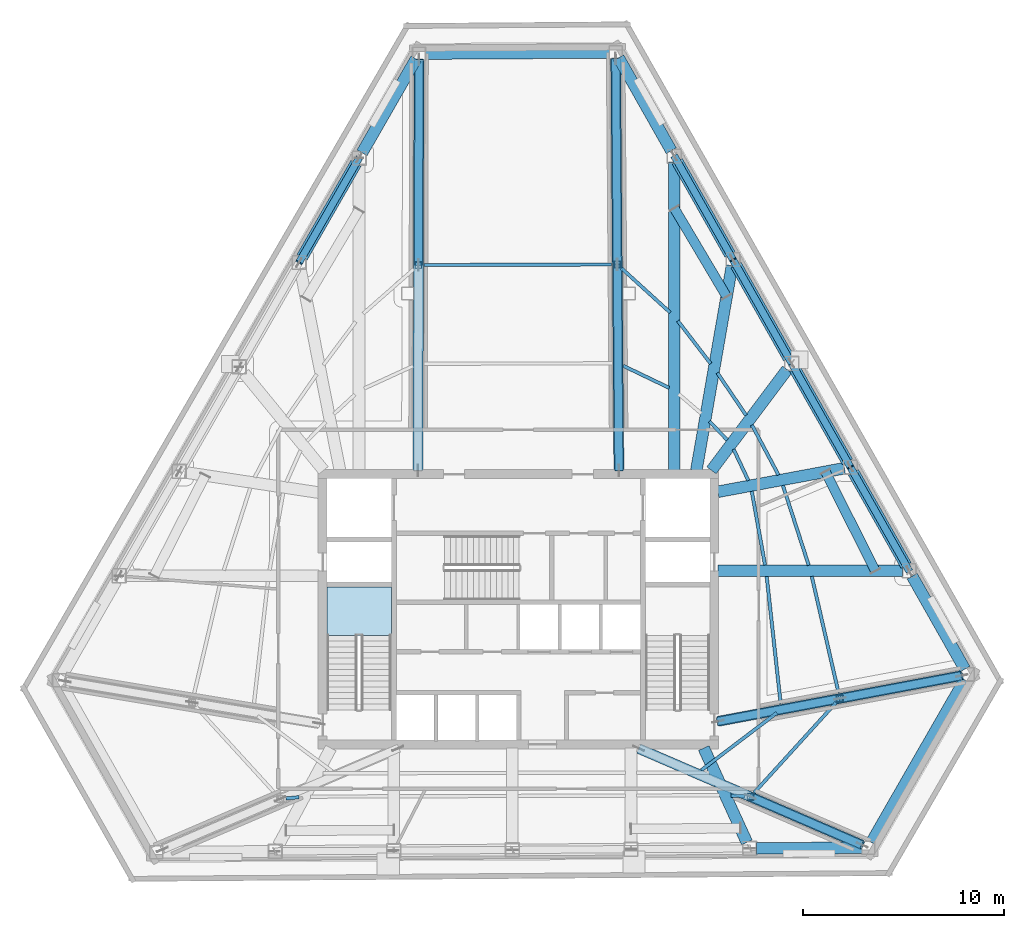
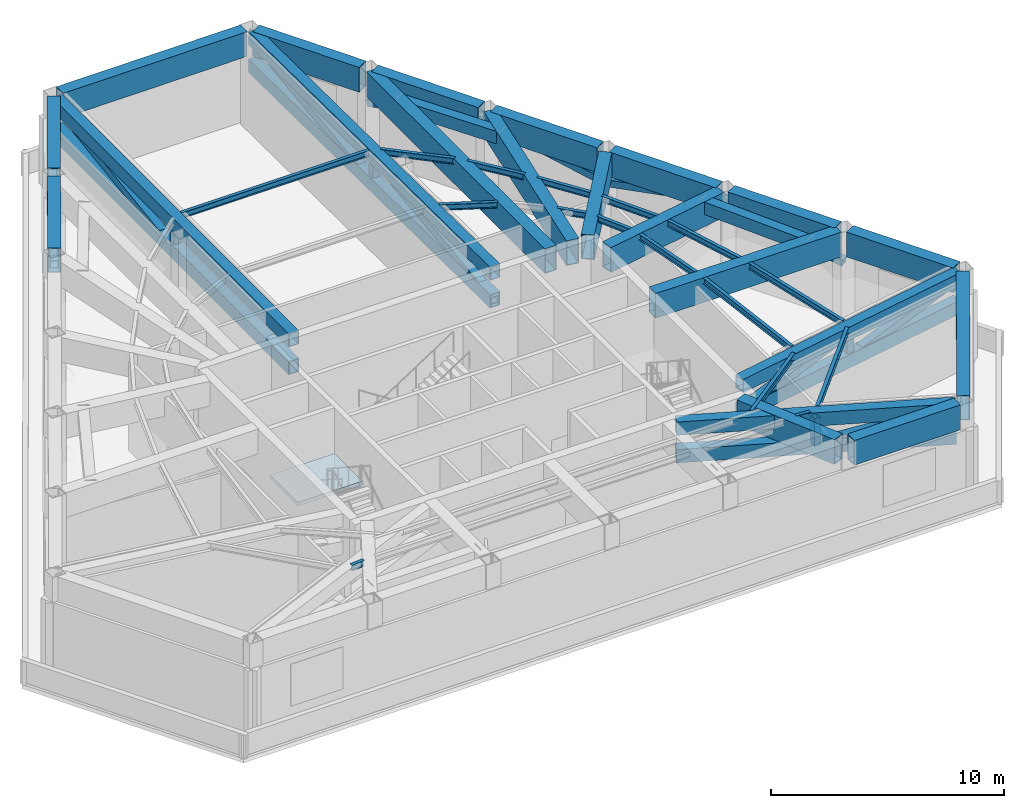
# One storey, part 3 of 13: 43 beams, 15 members, 1 slab, 1 element without a shape of its own.
"""IFC4 building model written with IfcOpenShell, lengths in metres."""

from ifc_helpers import new_model, si_unit, direction, frame, origin, origin_2d, place, context, subcontext, project, spatial, polyline, hollow_rectangle, i_section, outline, extrude, material, layer, layer_set, material_profile, profile_set, type_object, element, aggregate, save


model = new_model("IFC4")

# Units and contexts
model_context = context("Model", 3, precision=1e-05, world=origin(), true_north=direction((0.0, 1.0)))
body_context = subcontext(model_context, "Body", "Model", "MODEL_VIEW")
ifc_project = project(units=[si_unit("LENGTHUNIT", "METRE"), si_unit("AREAUNIT", "SQUARE_METRE"), si_unit("VOLUMEUNIT", "CUBIC_METRE"), si_unit("PLANEANGLEUNIT", "RADIAN"), si_unit("MASSUNIT", "GRAM", prefix="KILO")], contexts=[model_context])

# Site, building, storey
site_placement = place(None, origin())
site = spatial("IfcSite", under=ifc_project, at=site_placement, CompositionType="ELEMENT")
building_placement = place(site_placement, origin())
building = spatial("IfcBuilding", under=site, at=building_placement, Name="Kavelnor Concourse Tower", CompositionType="ELEMENT")
storey_placement = place(building_placement, frame((0.0, 0.0, 154.800048828125)))
storey = spatial("IfcBuildingStorey", under=building, at=storey_placement, Name="L39", CompositionType="ELEMENT", Elevation=154.800048828125)

# Beams
ifc_material_1 = material(Name="Steel Grade 350", Category="steel")
ifc_material_profile_1 = material_profile(ifc_material_1, hollow_rectangle(XDim=0.47998046875, YDim=0.64990234375, WallThickness=0.030029296875, at=origin_2d()), Name="RHS 650x480x30")
ifc_profile_set_1 = profile_set([ifc_material_profile_1], Name="Steel Grade 350")
beam_type_1 = type_object("IfcBeamType", Name="BM-BELT-CHORD-650", PredefinedType="BEAM", material=ifc_profile_set_1)
beam_1_placement = place(storey_placement, frame((55.7490234375, 18.012451171875, 4.659912109375), z_axis=(-0.450062397486, 0.892997109944, 0.0), x_axis=(-0.892997109944, -0.450062397486, 0.0)))
element("IfcBeam", 1, at=beam_1_placement, inside=storey, type_object=beam_type_1, Name="L39 Perimeter Belt Truss Chord F2-B1", PredefinedType="BEAM", context=body_context, shape_type="SweptSolid", body=[
    extrude(hollow_rectangle(XDim=0.47998046875, YDim=0.64990234375, WallThickness=0.030029296875, at=origin_2d()), origin(), (0.0, 0.0, 1.0), 5.5146484375),
])
beam_2_placement = place(storey_placement, frame((48.354248046875, 31.652587890625, 4.659912109375), z_axis=(-0.510326229529, 0.859980894819, 0.0), x_axis=(-0.859980894819, -0.510326229529, 0.0)))
element("IfcBeam", 2, at=beam_2_placement, inside=storey, type_object=beam_type_1, Name="L39 Perimeter Belt Truss Chord F2-B4", PredefinedType="BEAM", context=body_context, shape_type="SweptSolid", body=[
    extrude(hollow_rectangle(XDim=0.47998046875, YDim=0.64990234375, WallThickness=0.030029296875, at=origin_2d()), origin(), (0.0, 0.0, 1.0), 5.096435546875),
])
ifc_material_profile_2 = material_profile(ifc_material_1, i_section(OverallWidth=0.166015625, OverallDepth=0.306884765625, WebThickness=0.006591796875, FlangeThickness=0.01171875, at=origin_2d()), Name="310UB46")
ifc_profile_set_2 = profile_set([ifc_material_profile_2], Name="Steel Grade 350")
beam_type_2 = type_object("IfcBeamType", Name="BM-JOIST-310", PredefinedType="JOIST", material=ifc_profile_set_2)
beam_3_placement = place(storey_placement, frame((26.437255859375, 6.690673828125, 4.83154296875), z_axis=(0.995515695272, 0.09459651403, 0.0), x_axis=(-0.09459651403, 0.995515695272, 0.0)))
element("IfcBeam", 3, at=beam_3_placement, inside=storey, type_object=beam_type_2, Name="L39 Secondary Composite Joist 02-2", PredefinedType="JOIST", context=body_context, shape_type="SweptSolid", body=[
    extrude(i_section(OverallWidth=0.166015625, OverallDepth=0.306884765625, WebThickness=0.006591796875, FlangeThickness=0.01171875, at=origin_2d()), origin(), (0.0, 0.0, 1.0), 0.650390625),
])
beam_4_placement = place(storey_placement, frame((48.572021484375, 6.833984375, 4.83154296875), z_axis=(0.998053964698, -0.062356102757, 0.0), x_axis=(0.062356102757, 0.998053964698, 0.0)))
element("IfcBeam", 4, at=beam_4_placement, inside=storey, type_object=beam_type_2, Name="L39 Secondary Composite Joist 07-2", PredefinedType="JOIST", context=body_context, shape_type="SweptSolid", body=[
    extrude(i_section(OverallWidth=0.166015625, OverallDepth=0.306884765625, WebThickness=0.006591796875, FlangeThickness=0.01171875, at=origin_2d()), origin(), (0.0, 0.0, 1.0), 0.68505859375),
])
beam_5_placement = place(storey_placement, frame((47.09765625, 8.098388671875, 4.83154296875), z_axis=(0.796645630446, 0.604446639076, 0.0), x_axis=(-0.604446639076, 0.796645630446, 0.0)))
element("IfcBeam", 5, at=beam_5_placement, inside=storey, type_object=beam_type_2, Name="L39 Secondary Composite Joist 08-1", PredefinedType="JOIST", context=body_context, shape_type="SweptSolid", body=[
    extrude(i_section(OverallWidth=0.166015625, OverallDepth=0.306884765625, WebThickness=0.006591796875, FlangeThickness=0.01171875, at=origin_2d()), origin(), (0.0, 0.0, 1.0), 4.70751953125),
])
beam_6_placement = place(storey_placement, frame((49.73046875, 6.983642578125, 4.83154296875), z_axis=(0.672801552318, 0.739822999912, 0.0), x_axis=(-0.739822999912, 0.672801552318, 0.0)))
element("IfcBeam", 6, at=beam_6_placement, inside=storey, type_object=beam_type_2, Name="L39 Secondary Composite Joist 08-2", PredefinedType="JOIST", context=body_context, shape_type="SweptSolid", body=[
    extrude(i_section(OverallWidth=0.166015625, OverallDepth=0.306884765625, WebThickness=0.006591796875, FlangeThickness=0.01171875, at=origin_2d()), origin(), (0.0, 0.0, 1.0), 6.03955078125),
])
beam_7_placement = place(storey_placement, frame((51.043212890625, 11.397705078125, 4.83154296875), z_axis=(-0.109447254203, 0.993992604876, 0.0), x_axis=(-0.993992604876, -0.109447254203, 0.0)))
element("IfcBeam", 7, at=beam_7_placement, inside=storey, type_object=beam_type_2, Name="L39 Secondary Composite Joist 09-1", PredefinedType="JOIST", context=body_context, shape_type="SweptSolid", body=[
    extrude(i_section(OverallWidth=0.166015625, OverallDepth=0.306884765625, WebThickness=0.006591796875, FlangeThickness=0.01171875, at=origin_2d()), origin(), (0.0, 0.0, 1.0), 6.370849609375),
])
beam_8_placement = place(storey_placement, frame((53.92138671875, 11.938720703125, 4.83154296875), z_axis=(-0.223987077467, 0.974592114234, 0.0), x_axis=(-0.974592114234, -0.223987077467, 0.0)))
element("IfcBeam", 8, at=beam_8_placement, inside=storey, type_object=beam_type_2, Name="L39 Secondary Composite Joist 09-2", PredefinedType="JOIST", context=body_context, shape_type="SweptSolid", body=[
    extrude(i_section(OverallWidth=0.166015625, OverallDepth=0.306884765625, WebThickness=0.006591796875, FlangeThickness=0.01171875, at=origin_2d()), origin(), (0.0, 0.0, 1.0), 5.947998046875),
])
beam_9_placement = place(storey_placement, frame((50.2646484375, 18.2919921875, 4.83154296875), z_axis=(-0.176370027807, 0.984323937173, 0.0), x_axis=(-0.984323937173, -0.176370027807, 0.0)))
element("IfcBeam", 9, at=beam_9_placement, inside=storey, type_object=beam_type_2, Name="L39 Secondary Composite Joist 10-1", PredefinedType="JOIST", context=body_context, shape_type="SweptSolid", body=[
    extrude(i_section(OverallWidth=0.166015625, OverallDepth=0.306884765625, WebThickness=0.006591796875, FlangeThickness=0.01171875, at=origin_2d()), origin(), (0.0, 0.0, 1.0), 3.7333984375),
])
beam_10_placement = place(storey_placement, frame((52.43798828125, 18.28271484375, 4.83154296875), z_axis=(-0.307622637946, 0.951508440647, 0.0), x_axis=(-0.951508440647, -0.307622637946, 0.0)))
element("IfcBeam", 10, at=beam_10_placement, inside=storey, type_object=beam_type_2, Name="L39 Secondary Composite Joist 10-2", PredefinedType="JOIST", context=body_context, shape_type="SweptSolid", body=[
    extrude(i_section(OverallWidth=0.166015625, OverallDepth=0.306884765625, WebThickness=0.006591796875, FlangeThickness=0.01171875, at=origin_2d()), origin(), (0.0, 0.0, 1.0), 4.177001953125),
])
beam_11_placement = place(storey_placement, frame((49.4345703125, 22.5029296875, 4.83154296875), z_axis=(-0.427811024478, 0.903868202414, 0.0), x_axis=(-0.903868202414, -0.427811024478, 0.0)))
element("IfcBeam", 11, at=beam_11_placement, inside=storey, type_object=beam_type_2, Name="L39 Secondary Composite Joist 11-1", PredefinedType="JOIST", context=body_context, shape_type="SweptSolid", body=[
    extrude(i_section(OverallWidth=0.166015625, OverallDepth=0.306884765625, WebThickness=0.006591796875, FlangeThickness=0.01171875, at=origin_2d()), origin(), (0.0, 0.0, 1.0), 1.71533203125),
])
beam_12_placement = place(storey_placement, frame((50.9326171875, 22.778076171875, 4.83154296875), z_axis=(-0.468861007941, 0.883271959949, 0.0), x_axis=(-0.883271959949, -0.468861007941, 0.0)))
element("IfcBeam", 12, at=beam_12_placement, inside=storey, type_object=beam_type_2, Name="L39 Secondary Composite Joist 11-2", PredefinedType="JOIST", context=body_context, shape_type="SweptSolid", body=[
    extrude(i_section(OverallWidth=0.166015625, OverallDepth=0.306884765625, WebThickness=0.006591796875, FlangeThickness=0.01171875, at=origin_2d()), origin(), (0.0, 0.0, 1.0), 2.811279296875),
])
beam_13_placement = place(storey_placement, frame((48.38330078125, 24.515869140625, 4.83154296875), z_axis=(-0.689005662789, 0.724755956612, 0.0), x_axis=(-0.724755956612, -0.689005662789, 0.0)))
element("IfcBeam", 13, at=beam_13_placement, inside=storey, type_object=beam_type_2, Name="L39 Secondary Composite Joist 12-1", PredefinedType="JOIST", context=body_context, shape_type="SweptSolid", body=[
    extrude(i_section(OverallWidth=0.166015625, OverallDepth=0.306884765625, WebThickness=0.006591796875, FlangeThickness=0.01171875, at=origin_2d()), origin(), (0.0, 0.0, 1.0), 1.277099609375),
])
beam_14_placement = place(storey_placement, frame((49.322021484375, 25.747314453125, 4.83154296875), z_axis=(-0.561231776097, 0.827658681764, 0.0), x_axis=(-0.827658681764, -0.561231776097, 0.0)))
element("IfcBeam", 14, at=beam_14_placement, inside=storey, type_object=beam_type_2, Name="L39 Secondary Composite Joist 12-2", PredefinedType="JOIST", context=body_context, shape_type="SweptSolid", body=[
    extrude(i_section(OverallWidth=0.166015625, OverallDepth=0.306884765625, WebThickness=0.006591796875, FlangeThickness=0.01171875, at=origin_2d()), origin(), (0.0, 0.0, 1.0), 2.546630859375),
])
beam_15_placement = place(storey_placement, frame((47.560546875, 28.315185546875, 4.83154296875), z_axis=(-0.609191661273, 0.793023026043, 0.0), x_axis=(-0.793023026043, -0.609191661273, 0.0)))
element("IfcBeam", 15, at=beam_15_placement, inside=storey, type_object=beam_type_2, Name="L39 Secondary Composite Joist 13-2", PredefinedType="JOIST", context=body_context, shape_type="SweptSolid", body=[
    extrude(i_section(OverallWidth=0.166015625, OverallDepth=0.306884765625, WebThickness=0.006591796875, FlangeThickness=0.01171875, at=origin_2d()), origin(), (0.0, 0.0, 1.0), 2.6826171875),
])
beam_16_placement = place(storey_placement, frame((45.497314453125, 27.110107421875, 4.83154296875), z_axis=(-0.901887954544, 0.431970042304, 0.0), x_axis=(-0.431970042304, -0.901887954544, 0.0)))
element("IfcBeam", 16, at=beam_16_placement, inside=storey, type_object=beam_type_2, Name="L39 Secondary Composite Joist 14-1", PredefinedType="JOIST", context=body_context, shape_type="SweptSolid", body=[
    extrude(i_section(OverallWidth=0.166015625, OverallDepth=0.306884765625, WebThickness=0.006591796875, FlangeThickness=0.01171875, at=origin_2d()), origin(), (0.0, 0.0, 1.0), 2.534912109375),
])
beam_17_placement = place(storey_placement, frame((45.543212890625, 30.85888671875, 4.83154296875), z_axis=(-0.74009568813, 0.672501577999, 0.0), x_axis=(-0.672501577999, -0.74009568813, 0.0)))
element("IfcBeam", 17, at=beam_17_placement, inside=storey, type_object=beam_type_2, Name="L39 Secondary Composite Joist 14-2", PredefinedType="JOIST", context=body_context, shape_type="SweptSolid", body=[
    extrude(i_section(OverallWidth=0.166015625, OverallDepth=0.306884765625, WebThickness=0.006591796875, FlangeThickness=0.01171875, at=origin_2d()), origin(), (0.0, 0.0, 1.0), 3.26513671875),
])
beam_18_placement = place(storey_placement, frame((42.632568359375, 33.2451171875, 4.83154296875), z_axis=(-0.999995303924, -0.003064658055, 0.0), x_axis=(0.003064658055, -0.999995303924, 0.0)))
element("IfcBeam", 18, at=beam_18_placement, inside=storey, type_object=beam_type_2, Name="L39 Secondary Composite Joist 15-2", PredefinedType="JOIST", context=body_context, shape_type="SweptSolid", body=[
    extrude(i_section(OverallWidth=0.166015625, OverallDepth=0.306884765625, WebThickness=0.006591796875, FlangeThickness=0.01171875, at=origin_2d()), origin(), (0.0, 0.0, 1.0), 9.320556640625),
])
ifc_material_profile_3 = material_profile(ifc_material_1, hollow_rectangle(XDim=0.5, YDim=0.699951171875, WallThickness=0.031982421875, at=origin_2d()), Name="RHS 700x500x32")
ifc_profile_set_3 = profile_set([ifc_material_profile_3], Name="Steel Grade 350")
beam_type_3 = type_object("IfcBeamType", Name="BM-OUTRIG-CHORD-700", PredefinedType="BEAM", material=ifc_profile_set_3)
for number, where, z_axis, x_axis, name in (
    (19, (33.001220703125, 23.0, 3.179931640625), (0.002628834106, 0.99999654461, 0.0), (-0.99999654461, 0.002628834106, 0.0), "L39 Outrigger Truss Bottom Chord F0A"),
    (20, (33.001220703125, 23.0, 4.625), (0.002628834106, 0.99999654461, 0.0), (-0.99999654461, 0.002628834106, 0.0), "L39 Outrigger Truss Top Chord F0A"),
):
    element("IfcBeam", number, at=place(storey_placement, frame(where, z_axis=z_axis, x_axis=x_axis)), inside=storey, type_object=beam_type_3, Name=name, PredefinedType="BEAM", context=body_context, shape_type="SweptSolid", body=[
        extrude(hollow_rectangle(XDim=0.5, YDim=0.699951171875, WallThickness=0.031982421875, at=origin_2d()), origin(), (0.0, 0.0, 1.0), 20.431396484375),
    ])
for number, where, z_axis, x_axis, name in (
    (21, (43.981201171875, 9.17578125, 3.179931640625), (0.917926893332, -0.396749566476, 0.0), (0.396749566476, 0.917926893332, 0.0), "L39 Outrigger Truss Bottom Chord F1B"),
    (22, (43.981201171875, 9.17578125, 4.625), (0.917926893332, -0.396749566476, 0.0), (0.396749566476, 0.917926893332, 0.0), "L39 Outrigger Truss Top Chord F1B"),
):
    element("IfcBeam", number, at=place(storey_placement, frame(where, z_axis=z_axis, x_axis=x_axis)), inside=storey, type_object=beam_type_3, Name=name, PredefinedType="BEAM", context=body_context, shape_type="SweptSolid", body=[
        extrude(hollow_rectangle(XDim=0.5, YDim=0.699951171875, WallThickness=0.031982421875, at=origin_2d()), origin(), (0.0, 0.0, 1.0), 12.110107421875),
    ])
for number, where, z_axis, x_axis, name in (
    (23, (47.920654296875, 10.523681640625, 3.179931640625), (0.982835661078, 0.184483233148, 0.0), (-0.184483233148, 0.982835661078, 0.0), "L39 Outrigger Truss Bottom Chord F2A"),
    (24, (47.920654296875, 10.523681640625, 4.625), (0.982835661078, 0.184483233148, 0.0), (-0.184483233148, 0.982835661078, 0.0), "L39 Outrigger Truss Top Chord F2A"),
):
    element("IfcBeam", number, at=place(storey_placement, frame(where, z_axis=z_axis, x_axis=x_axis)), inside=storey, type_object=beam_type_3, Name=name, PredefinedType="BEAM", context=body_context, shape_type="SweptSolid", body=[
        extrude(hollow_rectangle(XDim=0.5, YDim=0.699951171875, WallThickness=0.031982421875, at=origin_2d()), origin(), (0.0, 0.0, 1.0), 12.340576171875),
    ])
for number, where, z_axis, x_axis, name in (
    (25, (42.996826171875, 23.0, 3.179931640625), (-0.007839252048, 0.999969272592, 0.0), (-0.999969272592, -0.007839252048, 0.0), "L39 Outrigger Truss Bottom Chord F2B"),
    (26, (42.996826171875, 23.0, 4.625), (-0.007839252048, 0.999969272592, 0.0), (-0.999969272592, -0.007839252048, 0.0), "L39 Outrigger Truss Top Chord F2B"),
):
    element("IfcBeam", number, at=place(storey_placement, frame(where, z_axis=z_axis, x_axis=x_axis)), inside=storey, type_object=beam_type_3, Name=name, PredefinedType="BEAM", context=body_context, shape_type="SweptSolid", body=[
        extrude(hollow_rectangle(XDim=0.5, YDim=0.699951171875, WallThickness=0.031982421875, at=origin_2d()), origin(), (0.0, 0.0, 1.0), 20.492431640625),
    ])
ifc_material_profile_4 = material_profile(ifc_material_1, hollow_rectangle(XDim=0.580078125, YDim=1.300048828125, WallThickness=0.0400390625, at=origin_2d()), Name="RHS 1300x580x40")
ifc_profile_set_4 = profile_set([ifc_material_profile_4], Name="Steel Grade 350")
beam_type_4 = type_object("IfcBeamType", Name="BM-SETBACK-XFER-1350", PredefinedType="BEAM", material=ifc_profile_set_4)
for number, where, z_axis, x_axis, name in (
    (27, (32.90380859375, 43.466796875, 4.3349609375), (-0.49807799561, -0.867132233451, 0.0), (0.867132233451, -0.49807799561, 0.0), "L39 Perimeter Tube Spandrel Beam F0-B0"),
    (28, (29.92041015625, 38.27294921875, 4.3349609375), (-0.49807799561, -0.867132233451, 0.0), (0.867132233451, -0.49807799561, 0.0), "L39 Perimeter Tube Spandrel Beam F0-B1"),
):
    element("IfcBeam", number, at=place(storey_placement, frame(where, z_axis=z_axis, x_axis=x_axis)), inside=storey, type_object=beam_type_4, Name=name, PredefinedType="BEAM", context=body_context, shape_type="SweptSolid", body=[
        extrude(hollow_rectangle(XDim=0.580078125, YDim=1.300048828125, WallThickness=0.0400390625, at=origin_2d()), origin(), (0.0, 0.0, 1.0), 5.379638671875),
    ])
beam_19_placement = place(storey_placement, frame((42.529052734375, 43.789794921875, 4.3349609375), z_axis=(-0.999981082261, -0.006151025989, 0.0), x_axis=(0.006151025989, -0.999981082261, 0.0)))
element("IfcBeam", 29, at=beam_19_placement, inside=storey, type_object=beam_type_4, Name="L39 Chamfer Facet Spandrel Beam C0", PredefinedType="BEAM", context=body_context, shape_type="SweptSolid", body=[
    extrude(hollow_rectangle(XDim=0.580078125, YDim=1.300048828125, WallThickness=0.0400390625, at=origin_2d()), origin(), (0.0, 0.0, 1.0), 9.168701171875),
])
beam_20_placement = place(storey_placement, frame((49.8046875, 4.205322265625, 4.3349609375), z_axis=(0.999980885226, 0.006182975204, 0.0), x_axis=(-0.006182975204, 0.999980885226, 0.0)))
element("IfcBeam", 30, at=beam_20_placement, inside=storey, type_object=beam_type_4, Name="L39 Perimeter Tube Spandrel Beam F1-B5", PredefinedType="BEAM", context=body_context, shape_type="SweptSolid", body=[
    extrude(hollow_rectangle(XDim=0.580078125, YDim=1.300048828125, WallThickness=0.0400390625, at=origin_2d()), origin(), (0.0, 0.0, 1.0), 5.291015625),
])
beam_21_placement = place(storey_placement, frame((60.19970703125, 13.1220703125, 4.3349609375), z_axis=(-0.492701926821, 0.870198144854, 0.0), x_axis=(-0.870198144854, -0.492701926821, 0.0)))
element("IfcBeam", 31, at=beam_21_placement, inside=storey, type_object=beam_type_4, Name="L39 Perimeter Tube Spandrel Beam F2-B0", PredefinedType="BEAM", context=body_context, shape_type="SweptSolid", body=[
    extrude(hollow_rectangle(XDim=0.580078125, YDim=1.300048828125, WallThickness=0.0400390625, at=origin_2d()), origin(), (0.0, 0.0, 1.0), 5.31494140625),
])
beam_22_placement = place(storey_placement, frame((57.280517578125, 18.27783203125, 4.3349609375), z_axis=(-0.492717015385, 0.87018960161, 0.0), x_axis=(-0.87018960161, -0.492717015385, 0.0)))
element("IfcBeam", 32, at=beam_22_placement, inside=storey, type_object=beam_type_4, Name="L39 Perimeter Tube Spandrel Beam F2-B1", PredefinedType="BEAM", context=body_context, shape_type="SweptSolid", body=[
    extrude(hollow_rectangle(XDim=0.580078125, YDim=1.300048828125, WallThickness=0.0400390625, at=origin_2d()), origin(), (0.0, 0.0, 1.0), 5.315185546875),
])
for number, where, z_axis, x_axis, name in (
    (33, (54.361083984375, 23.433837890625, 4.3349609375), (-0.492736709901, 0.870178449926, 0.0), (-0.870178449926, -0.492736709901, 0.0), "L39 Perimeter Tube Spandrel Beam F2-B2"),
    (34, (51.441650390625, 28.589599609375, 4.3349609375), (-0.492701926821, 0.870198144854, 0.0), (-0.870198144854, -0.492701926821, 0.0), "L39 Perimeter Tube Spandrel Beam F2-B3"),
):
    element("IfcBeam", number, at=place(storey_placement, frame(where, z_axis=z_axis, x_axis=x_axis)), inside=storey, type_object=beam_type_4, Name=name, PredefinedType="BEAM", context=body_context, shape_type="SweptSolid", body=[
        extrude(hollow_rectangle(XDim=0.580078125, YDim=1.300048828125, WallThickness=0.0400390625, at=origin_2d()), origin(), (0.0, 0.0, 1.0), 5.31494140625),
    ])
beam_23_placement = place(storey_placement, frame((48.5224609375, 33.745361328125, 4.3349609375), z_axis=(-0.492717015385, 0.87018960161, 0.0), x_axis=(-0.87018960161, -0.492717015385, 0.0)))
element("IfcBeam", 35, at=beam_23_placement, inside=storey, type_object=beam_type_4, Name="L39 Perimeter Tube Spandrel Beam F2-B4", PredefinedType="BEAM", context=body_context, shape_type="SweptSolid", body=[
    extrude(hollow_rectangle(XDim=0.580078125, YDim=1.300048828125, WallThickness=0.0400390625, at=origin_2d()), origin(), (0.0, 0.0, 1.0), 5.315185546875),
])
beam_24_placement = place(storey_placement, frame((45.60302734375, 38.9013671875, 4.3349609375), z_axis=(-0.492701926821, 0.870198144854, 0.0), x_axis=(-0.870198144854, -0.492701926821, 0.0)))
element("IfcBeam", 36, at=beam_24_placement, inside=storey, type_object=beam_type_4, Name="L39 Perimeter Tube Spandrel Beam F2-B5", PredefinedType="BEAM", context=body_context, shape_type="SweptSolid", body=[
    extrude(hollow_rectangle(XDim=0.580078125, YDim=1.300048828125, WallThickness=0.0400390625, at=origin_2d()), origin(), (0.0, 0.0, 1.0), 5.31494140625),
])
beam_25_placement = place(storey_placement, frame((55.552490234375, 4.50439453125, 4.3349609375), z_axis=(0.498065836474, 0.867139217506, 0.0), x_axis=(-0.867139217506, 0.498065836474, 0.0)))
element("IfcBeam", 37, at=beam_25_placement, inside=storey, type_object=beam_type_4, Name="L39 Chamfer Facet Spandrel Beam C2", PredefinedType="BEAM", context=body_context, shape_type="SweptSolid", body=[
    extrude(hollow_rectangle(XDim=0.580078125, YDim=1.300048828125, WallThickness=0.0400390625, at=origin_2d()), origin(), (0.0, 0.0, 1.0), 9.3271484375),
])
beam_26_placement = place(storey_placement, frame((47.21630859375, 9.1962890625, 4.3349609375), z_axis=(0.415902981376, -0.909408989445, 0.0), x_axis=(0.909408989445, 0.415902981376, 0.0)))
element("IfcBeam", 38, at=beam_26_placement, inside=storey, type_object=beam_type_4, Name="L39 Primary Floor Girder F1-B5", PredefinedType="BEAM", context=body_context, shape_type="SweptSolid", body=[
    extrude(hollow_rectangle(XDim=0.580078125, YDim=1.300048828125, WallThickness=0.0400390625, at=origin_2d()), origin(), (0.0, 0.0, 1.0), 5.15625),
])
beam_27_placement = place(storey_placement, frame((47.919921875, 18.012451171875, 4.3349609375), z_axis=(1.0, 0.0, 0.0), x_axis=(0.0, 1.0, 0.0)))
element("IfcBeam", 39, at=beam_27_placement, inside=storey, type_object=beam_type_4, Name="L39 Primary Floor Girder F2-B1", PredefinedType="BEAM", context=body_context, shape_type="SweptSolid", body=[
    extrude(hollow_rectangle(XDim=0.580078125, YDim=1.300048828125, WallThickness=0.0400390625, at=origin_2d()), origin(), (0.0, 0.0, 1.0), 9.210693359375),
])
beam_28_placement = place(storey_placement, frame((47.920654296875, 21.94189453125, 4.3349609375), z_axis=(0.983118398442, 0.182970529442, 0.0), x_axis=(-0.182970529442, 0.983118398442, 0.0)))
element("IfcBeam", 40, at=beam_28_placement, inside=storey, type_object=beam_type_4, Name="L39 Primary Floor Girder F2-B2", PredefinedType="BEAM", context=body_context, shape_type="SweptSolid", body=[
    extrude(hollow_rectangle(XDim=0.580078125, YDim=1.300048828125, WallThickness=0.0400390625, at=origin_2d()), origin(), (0.0, 0.0, 1.0), 6.39794921875),
])
beam_29_placement = place(storey_placement, frame((47.601806640625, 23.008056640625, 4.3349609375), z_axis=(0.600305625886, 0.799770689342, 0.0), x_axis=(-0.799770689342, 0.600305625886, 0.0)))
element("IfcBeam", 41, at=beam_29_placement, inside=storey, type_object=beam_type_4, Name="L39 Primary Floor Girder F2-B3", PredefinedType="BEAM", context=body_context, shape_type="SweptSolid", body=[
    extrude(hollow_rectangle(XDim=0.580078125, YDim=1.300048828125, WallThickness=0.0400390625, at=origin_2d()), origin(), (0.0, 0.0, 1.0), 6.261962890625),
])
beam_30_placement = place(storey_placement, frame((46.8466796875, 23.00048828125, 4.3349609375), z_axis=(0.171663254362, 0.985155686733, 0.0), x_axis=(-0.985155686733, 0.171663254362, 0.0)))
element("IfcBeam", 42, at=beam_30_placement, inside=storey, type_object=beam_type_4, Name="L39 Primary Floor Girder F2-B4", PredefinedType="BEAM", context=body_context, shape_type="SweptSolid", body=[
    extrude(hollow_rectangle(XDim=0.580078125, YDim=1.300048828125, WallThickness=0.0400390625, at=origin_2d()), origin(), (0.0, 0.0, 1.0), 10.332275390625),
])
beam_31_placement = place(storey_placement, frame((45.75341796875, 23.0, 4.3349609375), z_axis=(0.0, 1.0, 0.0), x_axis=(-1.0, 0.0, 0.0)))
element("IfcBeam", 43, at=beam_31_placement, inside=storey, type_object=beam_type_4, Name="L39 Primary Floor Girder F2-B5", PredefinedType="BEAM", context=body_context, shape_type="SweptSolid", body=[
    extrude(hollow_rectangle(XDim=0.580078125, YDim=1.300048828125, WallThickness=0.0400390625, at=origin_2d()), origin(), (0.0, 0.0, 1.0), 15.3359375),
])

# Members
ifc_material_profile_5 = material_profile(ifc_material_1, hollow_rectangle(XDim=0.360107421875, YDim=0.360107421875, WallThickness=0.02197265625, at=origin_2d()), Name="SHS 360x360x22")
ifc_profile_set_5 = profile_set([ifc_material_profile_5], Name="Steel Grade 350")
member_type_1 = type_object("IfcMemberType", Name="MBR-BELT-DIAG-360", PredefinedType="BRACE", material=ifc_profile_set_5)
member_1_placement = place(storey_placement, frame((30.072509765625, 38.53759765625, 3.179931640625), z_axis=(-0.489059706451, -0.851452148506, 0.189340545926), x_axis=(0.867137378953, -0.498069037406, 0.0)))
element("IfcMember", 44, at=member_1_placement, inside=storey, type_object=member_type_1, Name="L39 Perimeter Belt Truss Diagonal F0-B1", PredefinedType="BRACE", context=body_context, shape_type="SweptSolid", body=[
    extrude(hollow_rectangle(XDim=0.360107421875, YDim=0.360107421875, WallThickness=0.02197265625, at=origin_2d()), origin(), (0.0, 0.0, 1.0), 6.100341796875),
])
member_2_placement = place(storey_placement, frame((57.4306640625, 18.012451171875, 3.179931640625), z_axis=(-0.483615255749, 0.85411194064, 0.191334987034), x_axis=(-0.870188858392, -0.492718327982, 0.0)))
element("IfcMember", 45, at=member_2_placement, inside=storey, type_object=member_type_1, Name="L39 Perimeter Belt Truss Diagonal F2-B1", PredefinedType="BRACE", context=body_context, shape_type="SweptSolid", body=[
    extrude(hollow_rectangle(XDim=0.360107421875, YDim=0.360107421875, WallThickness=0.02197265625, at=origin_2d()), origin(), (0.0, 0.0, 1.0), 6.03662109375),
])
for number, where, z_axis, x_axis, name in (
    (46, (51.592041015625, 28.32421875, 3.179931640625), (0.483600976365, -0.854117706688, 0.191345339063), (0.870196522125, 0.492704792833, 0.0), "L39 Perimeter Belt Truss Diagonal F2-B2"),
    (47, (51.592041015625, 28.32421875, 3.179931640625), (-0.483631961594, 0.854101000581, 0.191341596446), (-0.870178854686, -0.492735995091, 0.0), "L39 Perimeter Belt Truss Diagonal F2-B3"),
):
    element("IfcMember", number, at=place(storey_placement, frame(where, z_axis=z_axis, x_axis=x_axis)), inside=storey, type_object=member_type_1, Name=name, PredefinedType="BRACE", context=body_context, shape_type="SweptSolid", body=[
        extrude(hollow_rectangle(XDim=0.360107421875, YDim=0.360107421875, WallThickness=0.02197265625, at=origin_2d()), origin(), (0.0, 0.0, 1.0), 6.036376953125),
    ])
member_3_placement = place(storey_placement, frame((45.75341796875, 38.635986328125, 3.179931640625), z_axis=(0.483584270936, -0.854128645806, 0.191338729263), x_axis=(0.870206524768, 0.492687126126, 0.0)))
element("IfcMember", 48, at=member_3_placement, inside=storey, type_object=member_type_1, Name="L39 Perimeter Belt Truss Diagonal F2-B4", PredefinedType="BRACE", context=body_context, shape_type="SweptSolid", body=[
    extrude(hollow_rectangle(XDim=0.360107421875, YDim=0.360107421875, WallThickness=0.02197265625, at=origin_2d()), origin(), (0.0, 0.0, 1.0), 6.03662109375),
])
ifc_material_profile_6 = material_profile(ifc_material_1, hollow_rectangle(XDim=0.39990234375, YDim=0.39990234375, WallThickness=0.02490234375, at=origin_2d()), Name="SHS 400x400x25")
ifc_profile_set_6 = profile_set([ifc_material_profile_6], Name="Steel Grade 350")
member_type_2 = type_object("IfcMemberType", Name="MBR-OUTRIG-DIAG-400", PredefinedType="BRACE", material=ifc_profile_set_6)
member_4_placement = place(storey_placement, frame((33.028076171875, 33.2158203125, 3.179931640625), z_axis=(0.002602951918, 0.990139246444, 0.140062476393), x_axis=(-0.999996544527, 0.002628865519, 0.0)))
element("IfcMember", 49, at=member_4_placement, inside=storey, type_object=member_type_2, Name="L39 Outrigger Truss Outer Diagonal F0A", PredefinedType="BRACE", context=body_context, shape_type="SweptSolid", body=[
    extrude(hollow_rectangle(XDim=0.39990234375, YDim=0.39990234375, WallThickness=0.02490234375, at=origin_2d()), origin(), (0.0, 0.0, 1.0), 10.3173828125),
])
member_5_placement = place(storey_placement, frame((49.539306640625, 6.7734375, 3.179931640625), z_axis=(0.892852341299, -0.385911756056, 0.23213533375), x_axis=(0.396749566476, 0.917926893332, 0.0)))
element("IfcMember", 50, at=member_5_placement, inside=storey, type_object=member_type_2, Name="L39 Outrigger Truss Outer Diagonal F1B", PredefinedType="BRACE", context=body_context, shape_type="SweptSolid", body=[
    extrude(hollow_rectangle(XDim=0.39990234375, YDim=0.39990234375, WallThickness=0.02490234375, at=origin_2d()), origin(), (0.0, 0.0, 1.0), 6.22509765625),
])
member_6_placement = place(storey_placement, frame((47.920654296875, 10.523681640625, 3.179931640625), z_axis=(0.956940391506, 0.179638206344, 0.228024564304), x_axis=(-0.184498756051, 0.982832747224, 0.0)))
element("IfcMember", 51, at=member_6_placement, inside=storey, type_object=member_type_2, Name="L39 Outrigger Truss Inner Diagonal F2A", PredefinedType="BRACE", context=body_context, shape_type="SweptSolid", body=[
    extrude(hollow_rectangle(XDim=0.39990234375, YDim=0.39990234375, WallThickness=0.02490234375, at=origin_2d()), origin(), (0.0, 0.0, 1.0), 6.33740234375),
])
member_7_placement = place(storey_placement, frame((53.985107421875, 11.662109375, 3.179931640625), z_axis=(0.956943767331, 0.17960754633, 0.228034548848), x_axis=(-0.184467709482, 0.982838574822, 0.0)))
element("IfcMember", 52, at=member_7_placement, inside=storey, type_object=member_type_2, Name="L39 Outrigger Truss Outer Diagonal F2A", PredefinedType="BRACE", context=body_context, shape_type="SweptSolid", body=[
    extrude(hollow_rectangle(XDim=0.39990234375, YDim=0.39990234375, WallThickness=0.02490234375, at=origin_2d()), origin(), (0.0, 0.0, 1.0), 6.337158203125),
])
for number, where, z_axis, x_axis, name in (
    (53, (42.996826171875, 23.0, 3.179931640625), (-0.007762431354, 0.99017008094, 0.139652982321), (-0.999969272592, -0.007839252048, 0.0), "L39 Outrigger Truss Inner Diagonal F2B"),
    (54, (42.91650390625, 33.245849609375, 3.179931640625), (-0.007762431354, 0.99017008094, 0.139652982321), (-0.999969272592, -0.007839252048, 0.0), "L39 Outrigger Truss Outer Diagonal F2B"),
):
    element("IfcMember", number, at=place(storey_placement, frame(where, z_axis=z_axis, x_axis=x_axis)), inside=storey, type_object=member_type_2, Name=name, PredefinedType="BRACE", context=body_context, shape_type="SweptSolid", body=[
        extrude(hollow_rectangle(XDim=0.39990234375, YDim=0.39990234375, WallThickness=0.02490234375, at=origin_2d()), origin(), (0.0, 0.0, 1.0), 10.34765625),
    ])
ifc_material_profile_7 = material_profile(ifc_material_1, hollow_rectangle(XDim=0.340087890625, YDim=0.340087890625, WallThickness=0.02001953125, at=origin_2d()), Name="SHS 340x340x20")
ifc_profile_set_7 = profile_set([ifc_material_profile_7], Name="Steel Grade 350")
member_type_3 = type_object("IfcMemberType", Name="MBR-TRUSS-POST-340", PredefinedType="POST", material=ifc_profile_set_7)
for number, where, z_axis, x_axis, name in (
    (55, (33.028076171875, 33.2158203125, 3.179931640625), (0.0, 0.0, 1.0), (1.0, 0.0, 0.0), "L39 Outrigger Truss Web Post F0A"),
    (56, (49.539306640625, 6.7734375, 3.179931640625), (0.0, 0.0, 1.0), (1.0, 0.0, 0.0), "L39 Outrigger Truss Web Post F1B"),
    (57, (53.985107421875, 11.662109375, 3.179931640625), (0.0, 0.0, 1.0), (1.0, 0.0, 0.0), "L39 Outrigger Truss Web Post F2A"),
    (58, (42.91650390625, 33.245849609375, 3.179931640625), (0.0, 0.0, 1.0), (1.0, 0.0, 0.0), "L39 Outrigger Truss Web Post F2B"),
):
    element("IfcMember", number, at=place(storey_placement, frame(where, z_axis=z_axis, x_axis=x_axis)), inside=storey, type_object=member_type_3, Name=name, PredefinedType="POST", context=body_context, shape_type="SweptSolid", body=[
        extrude(hollow_rectangle(XDim=0.340087890625, YDim=0.340087890625, WallThickness=0.02001953125, at=origin_2d()), origin(), (0.0, 0.0, 1.0), 1.445068359375),
    ])

# Stair, slab
ifc_material_2 = material(Name="Concrete C40/50", Category="concrete")
stair_type = type_object("IfcStairType", Name="STR-CORE-1500", PredefinedType="HALF_TURN_STAIR", material=ifc_material_2)
stair_placement = place(storey_placement, origin())
stair = element("IfcStair", 59, at=stair_placement, inside=storey, type_object=stair_type, Name="L39 ST1", PredefinedType="HALF_TURN_STAIR")
ifc_layer = layer(ifc_material_2, 0.199951171875, Name="Concrete C40/50")
ifc_layer_set = layer_set([ifc_layer], Name="Concrete C40/50")
slab_type = type_object("IfcSlabType", Name="SLB-LANDING-200", PredefinedType="LANDING", material=ifc_layer_set)
slab_placement = place(storey_placement, frame((0.0, 0.0, 2.39990234375)))
slab = element("IfcSlab", 60, at=slab_placement, type_object=slab_type, Name="ST1 landing 1", PredefinedType="LANDING", context=body_context, shape_type="SweptSolid", body=[
    extrude(outline(polyline([(31.679931640625, 14.804931640625), (31.679931640625, 17.199951171875), (28.47998046875, 17.199951171875), (28.47998046875, 14.804931640625), (31.679931640625, 14.804931640625)])), origin(), (0.0, 0.0, 1.0), 0.199951171875),
])
aggregate(stair, [slab])

save(model, "model.ifc")
